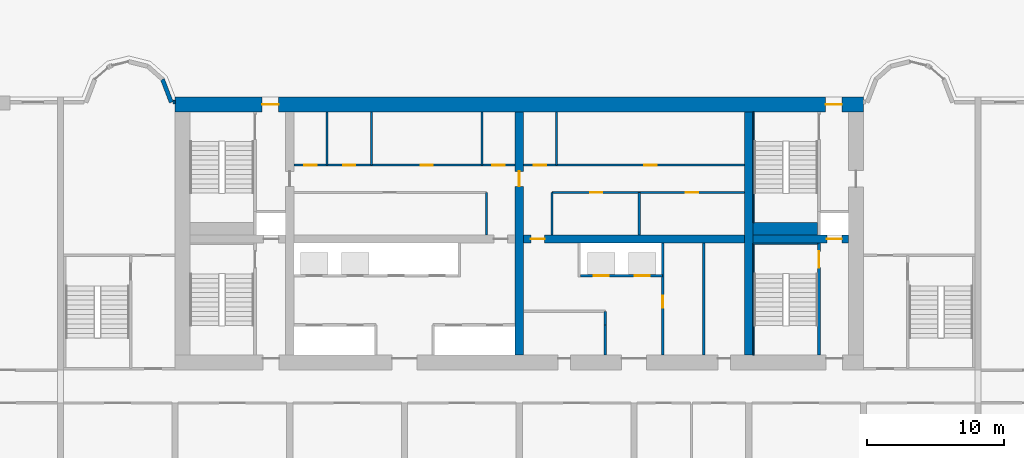
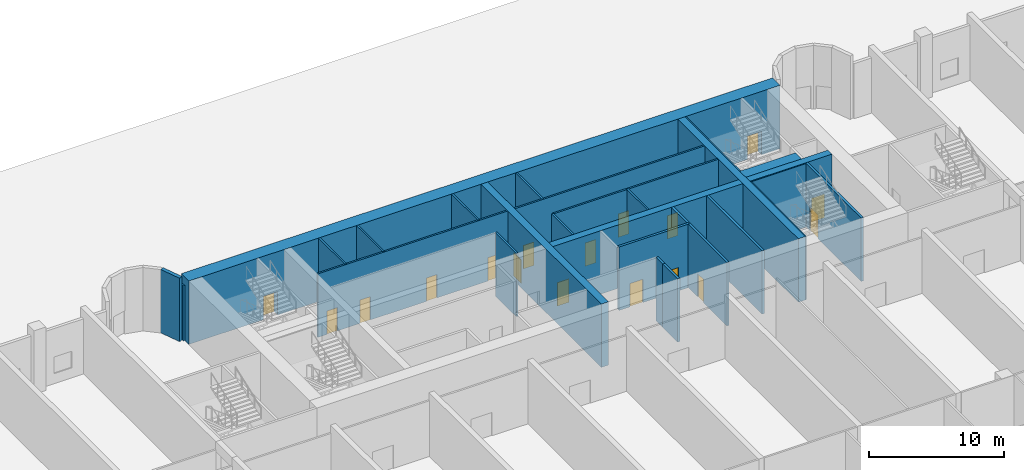
# One storey, part 13 of 20: 27 walls, 17 doors, 17 openings.
"""IFC4 building model written with IfcOpenShell, lengths in metres."""

import ifcopenshell
import ifcopenshell.guid

model = None  # the IFC model being written
_history = None  # IfcOwnerHistory: only IFC2X3 demands one
_inside = {}  # id of a spatial element -> (the spatial element, [elements in it])
_under = {}  # id of a project, library or spatial element -> (it, [spatial elements below it])
_declared = {}  # id of a project -> (the project, [libraries it declares])
_typed = {}  # id of a type object -> (the type object, [elements of that type])
_made_of = {}  # id of a material, layer set ... -> (it, [elements and type objects made of it])


def new_model(schema):
    """Start an empty IFC model of exactly this schema.

    Asked for "IFC4X3", IfcOpenShell would pick the latest addendum, in which some entities
    have other attributes; the version numbers below select the first issue.
    IFC2X3 requires an IfcOwnerHistory on every rooted entity: one is made here for all.
    """
    global model, _history
    if schema == "IFC4X3":
        model = ifcopenshell.file(schema_version=(4, 3, 0, 0))
    else:
        model = ifcopenshell.file(schema=schema)
    _inside.clear()
    _under.clear()
    _declared.clear()
    _typed.clear()
    _made_of.clear()
    _history = None
    if model.schema == "IFC2X3":
        org = make("IfcOrganization", Name="unknown")
        user = make(
            "IfcPersonAndOrganization",
            ThePerson=make("IfcPerson", FamilyName="unknown"),
            TheOrganization=org,
        )
        app = make(
            "IfcApplication",
            ApplicationDeveloper=org,
            Version="unknown",
            ApplicationFullName="unknown",
            ApplicationIdentifier="unknown",
        )
        _history = make(
            "IfcOwnerHistory",
            OwningUser=user,
            OwningApplication=app,
            ChangeAction="ADDED",
            CreationDate=0,
        )
    return model


def make(cls, **values):
    """One entity of the class cls with the attributes given. An attribute that is None is left unset."""
    return model.create_entity(
        cls, **{name: value for name, value in values.items() if value is not None}
    )


def rooted(cls, **values):
    """An entity with a GlobalId (a new one), such as an element, a storey or a relation."""
    return make(cls, GlobalId=ifcopenshell.guid.new(), OwnerHistory=_history, **values)


def si_unit(unit_type, name, prefix=None):
    """IfcSIUnit, for example si_unit("LENGTHUNIT", "METRE", prefix="MILLI")."""
    return make("IfcSIUnit", UnitType=unit_type, Prefix=prefix, Name=name)


def assignment(units):
    """IfcUnitAssignment: the units of a project."""
    return None if units is None else make("IfcUnitAssignment", Units=units)


def point(xyz):
    """IfcCartesianPoint."""
    return None if xyz is None else make("IfcCartesianPoint", Coordinates=xyz)


def direction(xyz):
    """IfcDirection."""
    return None if xyz is None else make("IfcDirection", DirectionRatios=xyz)


def frame(location, z_axis=None, x_axis=None):
    """IfcAxis2Placement3D, a coordinate frame: its origin and axes. An axis left out is left unset."""
    return make(
        "IfcAxis2Placement3D",
        Location=point(location),
        Axis=direction(z_axis),
        RefDirection=direction(x_axis),
    )


def frame_2d(location, x_axis=None):
    """IfcAxis2Placement2D, a coordinate frame in the plane: its origin and x axis."""
    return make(
        "IfcAxis2Placement2D", Location=point(location), RefDirection=direction(x_axis)
    )


def origin():
    """The frame at (0, 0, 0) with its axes left unset."""
    return frame((0.0, 0.0, 0.0))


def place(relative_to, where):
    """IfcLocalPlacement: puts the frame where relative to a parent placement (None: the world)."""
    return make(
        "IfcLocalPlacement", PlacementRelTo=relative_to, RelativePlacement=where
    )


def context(
    kind, dimensions, precision=None, world=None, true_north=None, identifier=None
):
    """IfcGeometricRepresentationContext, for example the 3D "Model" context."""
    return make(
        "IfcGeometricRepresentationContext",
        ContextIdentifier=identifier,
        ContextType=kind,
        CoordinateSpaceDimension=dimensions,
        Precision=precision,
        WorldCoordinateSystem=world,
        TrueNorth=true_north,
    )


def subcontext(parent, identifier, kind, view, scale=None):
    """IfcGeometricRepresentationSubContext, for example "Body" below "Model"."""
    return make(
        "IfcGeometricRepresentationSubContext",
        ContextIdentifier=identifier,
        ContextType=kind,
        ParentContext=parent,
        TargetScale=scale,
        TargetView=view,
    )


def project(units=None, contexts=None):
    """IfcProject with its units and contexts."""
    return rooted(
        "IfcProject",
        Name="project",
        RepresentationContexts=contexts,
        UnitsInContext=assignment(units),
    )


def spatial(cls, under=None, at=None, **own):
    """A site, building, storey or space (cls), placed at a placement, below another one or the project."""
    s = rooted(cls, ObjectPlacement=at, **own)
    if under is not None:
        _under.setdefault(under.id(), (under, []))[1].append(s)
    return s


def profile(cls, at=None, kind="AREA", **sizes):
    """A parametric profile (cls). Its sizes go by their IFC names, for example OverallWidth=200.0."""
    return make(cls, ProfileType=kind, Position=at, **sizes)


def rectangle(**sizes):
    """IfcRectangleProfileDef."""
    return profile("IfcRectangleProfileDef", **sizes)


def extrude(swept, where, along, depth):
    """IfcExtrudedAreaSolid: the profile swept, set in the frame where, extruded along a direction by depth."""
    return make(
        "IfcExtrudedAreaSolid",
        SweptArea=swept,
        Position=where,
        ExtrudedDirection=direction(along),
        Depth=depth,
    )


def shape(context_of_items, identifier, shape_type, items):
    """IfcShapeRepresentation: the items that make up one representation, for example the "Body"."""
    return make(
        "IfcShapeRepresentation",
        ContextOfItems=context_of_items,
        RepresentationIdentifier=identifier,
        RepresentationType=shape_type,
        Items=items,
    )


def source(mapping_origin, context_of_items, identifier, shape_type, items):
    """IfcRepresentationMap: a shape defined once, which mapped items show again and again."""
    return make(
        "IfcRepresentationMap",
        MappingOrigin=mapping_origin,
        MappedRepresentation=shape(context_of_items, identifier, shape_type, items),
    )


def transform(
    local_origin,
    x_axis=None,
    y_axis=None,
    z_axis=None,
    scale=None,
    scale2=None,
    scale3=None,
    uniform=True,
):
    """IfcCartesianTransformationOperator3D, or its non-uniform kind. x_axis, y_axis, z_axis: its Axis1, 2, 3."""
    if uniform:
        return make(
            "IfcCartesianTransformationOperator3D",
            Axis1=direction(x_axis),
            Axis2=direction(y_axis),
            LocalOrigin=point(local_origin),
            Scale=scale,
            Axis3=direction(z_axis),
        )
    return make(
        "IfcCartesianTransformationOperator3DnonUniform",
        Axis1=direction(x_axis),
        Axis2=direction(y_axis),
        LocalOrigin=point(local_origin),
        Scale=scale,
        Axis3=direction(z_axis),
        Scale2=scale2,
        Scale3=scale3,
    )


def mapped(mapping_source, mapping_target):
    """IfcMappedItem: shows the shape of a source again, moved by a transform."""
    return make(
        "IfcMappedItem", MappingSource=mapping_source, MappingTarget=mapping_target
    )


def material(Name=None, Category=None):
    """IfcMaterial."""
    return make("IfcMaterial", Name=Name, Category=Category)


def layer(
    of_material, thickness, ventilated=None, Name=None, Category=None, Priority=None
):
    """IfcMaterialLayer: one layer of a wall or slab, of a material (None: an air gap)."""
    return make(
        "IfcMaterialLayer",
        Material=of_material,
        LayerThickness=thickness,
        IsVentilated=ventilated,
        Name=Name,
        Category=Category,
        Priority=Priority,
    )


def layer_set(layers, Name=None):
    """IfcMaterialLayerSet."""
    return make("IfcMaterialLayerSet", MaterialLayers=layers, LayerSetName=Name)


def made_of(thing, what):
    """Note that an element or type object is made of a material, layer set ...; save() writes the relation."""
    if what is not None:
        _made_of.setdefault(what.id(), (what, []))[1].append(thing)
    return thing


def type_object(cls, material=None, **own):
    """A type object (cls), such as IfcWallType, which elements share."""
    return made_of(rooted(cls, **own), material)


def element(
    cls,
    number,
    at=None,
    inside=None,
    cuts=None,
    type_object=None,
    material=None,
    context=None,
    identifier="Body",
    shape_type=None,
    held_by="IfcProductDefinitionShape",
    body=None,
    shapes=None,
    **own,
):
    """One element of the class cls, such as IfcWall. Its Tag is "e" and its number.

    at: its placement. inside: the storey or other place that contains it. cuts: it is an
    opening in that element (IfcRelVoidsElement). A single representation is given by context,
    identifier, shape_type and body (its items); several are given by shapes. held_by: the class
    of the entity that holds the representations. save() writes the other relations.
    """
    e = rooted(cls, Tag="e%d" % number, ObjectPlacement=at, **own)
    if body is not None:
        shapes = [shape(context, identifier, shape_type, body)]
    if shapes is not None:
        e.Representation = make(held_by, Representations=shapes)
    if inside is not None:
        _inside.setdefault(inside.id(), (inside, []))[1].append(e)
    if cuts is not None:
        rooted(
            "IfcRelVoidsElement", RelatingBuildingElement=cuts, RelatedOpeningElement=e
        )
    if type_object is not None:
        _typed.setdefault(type_object.id(), (type_object, []))[1].append(e)
    return made_of(e, material)


def fill(opening, filler):
    """IfcRelFillsElement: the door or window that sits in an opening."""
    return rooted(
        "IfcRelFillsElement",
        RelatingOpeningElement=opening,
        RelatedBuildingElement=filler,
    )


def aggregate(whole, parts):
    """IfcRelAggregates: a whole, such as a stair, and the parts it consists of."""
    return rooted("IfcRelAggregates", RelatingObject=whole, RelatedObjects=parts)


def save(model, path):
    """Write the relations noted so far, then the file.

    IfcRelAggregates (storeys below a building ...), IfcRelContainedInSpatialStructure (elements
    in a storey), IfcRelDefinesByType, IfcRelAssociatesMaterial and IfcRelDeclares: one each for
    every whole, place, type object, material and project.
    """
    for whole, parts in _under.values():
        aggregate(whole, parts)
    for where, things in _inside.values():
        rooted(
            "IfcRelContainedInSpatialStructure",
            RelatedElements=things,
            RelatingStructure=where,
        )
    for kind, things in _typed.values():
        rooted("IfcRelDefinesByType", RelatedObjects=things, RelatingType=kind)
    for what, things in _made_of.values():
        rooted("IfcRelAssociatesMaterial", RelatedObjects=things, RelatingMaterial=what)
    for by, libraries in _declared.values():
        rooted("IfcRelDeclares", RelatingContext=by, RelatedDefinitions=libraries)
    model.write(path)


model = new_model("IFC4")

# Units and contexts
model_context = context("Model", 3, precision=1e-05, world=origin(), true_north=direction((0.0, 1.0)))
body_context = subcontext(model_context, "Body", "Model", "MODEL_VIEW")
ifc_project = project(units=[si_unit("LENGTHUNIT", "METRE"), si_unit("AREAUNIT", "SQUARE_METRE"), si_unit("VOLUMEUNIT", "CUBIC_METRE"), si_unit("PLANEANGLEUNIT", "RADIAN"), si_unit("MASSUNIT", "GRAM", prefix="KILO")], contexts=[model_context])

# Site, building, storey
site_placement = place(None, origin())
site = spatial("IfcSite", under=ifc_project, at=site_placement, CompositionType="ELEMENT")
building_placement = place(site_placement, origin())
building = spatial("IfcBuilding", under=site, at=building_placement, Name="Vanashikhar Sky Hotel", CompositionType="ELEMENT")
storey_placement = place(building_placement, origin())
storey = spatial("IfcBuildingStorey", under=building, at=storey_placement, Name="L00", CompositionType="ELEMENT", Elevation=0.0)

# Wall, openings, doors
ifc_material_1 = material(Name="Concrete M80", Category="concrete")
ifc_layer_1 = layer(ifc_material_1, 1.10009765625)
ifc_layer_set_1 = layer_set([ifc_layer_1], Name="RC core shell wall 1100 Concrete M80")
wall_type_1 = type_object("IfcWallType", Name="RC core shell wall 1100 Concrete M80", PredefinedType="SHEAR", material=ifc_layer_set_1)
shared_shape_1 = source(origin(), body_context, "Body", "SweptSolid", [
    extrude(rectangle(XDim=50.400146484375, YDim=1.10009765625, at=frame_2d((25.2001953125, 0.0))), origin(), (0.0, 0.0, 1.0), 5.719970703125),
])
wall_1_placement = place(storey_placement, frame((25.199951171875, 41.449951171875, 0.0), z_axis=(0.0, 0.0, 1.0), x_axis=(1.0, 0.0, 0.0)))
wall_1 = element("IfcWall", 1, at=wall_1_placement, inside=storey, type_object=wall_type_1, Name="KW-L00-KN", PredefinedType="SHEAR", context=body_context, shape_type="MappedRepresentation", body=[
    mapped(shared_shape_1, transform((0.0, 0.0, 0.0), scale=1.0)),
])
shared_shape_2 = source(origin(), body_context, "Body", "SweptSolid", [
    extrude(rectangle(XDim=1.199951171875, YDim=2.10009765625, at=frame_2d((0.60009765625, 1.050048828125))), frame((0.0, 0.56005859375, 0.0), z_axis=(0.0, -1.0, 0.0), x_axis=(1.0, 0.0, 0.0)), (0.0, 0.0, 1.0), 1.1201171875),
])
opening_1_placement = place(wall_1_placement, frame((6.375, 0.0, 0.0)))
opening_1 = element("IfcOpeningElement", 2, at=opening_1_placement, cuts=wall_1, Name="Opening DC-7", PredefinedType="OPENING", context=body_context, shape_type="MappedRepresentation", body=[
    mapped(shared_shape_2, transform((0.0, 0.0, 0.0), scale=1.0)),
])
opening_2_placement = place(wall_1_placement, frame((47.625, 0.0, 0.0)))
opening_2 = element("IfcOpeningElement", 3, at=opening_2_placement, cuts=wall_1, Name="Opening DC-7", PredefinedType="OPENING", context=body_context, shape_type="MappedRepresentation", body=[
    mapped(shared_shape_2, transform((0.0, 0.0, 0.0), scale=1.0)),
])
ifc_material_2 = material(Name="Steel", Category="steel")
door_type_1 = type_object("IfcDoorType", Name="Exit door 1200 NOT RATED", OperationType="NOTDEFINED", PredefinedType="DOOR", material=ifc_material_2)
shared_shape_3 = source(origin(), body_context, "Body", "SweptSolid", [
    extrude(rectangle(XDim=1.199951171875, YDim=2.10009765625, at=frame_2d((0.60009765625, 1.050048828125))), frame((0.0, 0.02490234375, 0.0), z_axis=(0.0, -1.0, 0.0), x_axis=(1.0, 0.0, 0.0)), (0.0, 0.0, 1.0), 0.050048828125),
])
door_1_placement = place(opening_1_placement, origin())
door_1 = element("IfcDoor", 4, at=door_1_placement, inside=storey, type_object=door_type_1, Name="Exit door 1200 NOT RATED", OperationType="SINGLE_SWING_LEFT", OverallHeight=2.10009765625, OverallWidth=1.199951171875, PredefinedType="DOOR", context=body_context, shape_type="MappedRepresentation", body=[
    mapped(shared_shape_3, transform((0.0, 0.0, 0.0), scale=1.0)),
])
fill(opening_1, door_1)
door_2_placement = place(opening_2_placement, origin())
door_2 = element("IfcDoor", 5, at=door_2_placement, inside=storey, type_object=door_type_1, Name="Exit door 1200 NOT RATED", OperationType="SINGLE_SWING_LEFT", OverallHeight=2.10009765625, OverallWidth=1.199951171875, PredefinedType="DOOR", context=body_context, shape_type="MappedRepresentation", body=[
    mapped(shared_shape_3, transform((0.0, 0.0, 0.0), scale=1.0)),
])
fill(opening_2, door_2)

# Wall, opening, door
ifc_layer_2 = layer(ifc_material_1, 0.60009765625)
ifc_layer_set_2 = layer_set([ifc_layer_2], Name="RC core inner wall 600 Concrete M80")
wall_type_2 = type_object("IfcWallType", Name="RC core inner wall 600 Concrete M80", PredefinedType="SHEAR", material=ifc_layer_set_2)
shared_shape_4 = source(origin(), body_context, "Body", "SweptSolid", [
    extrude(rectangle(XDim=17.7998046875, YDim=0.60009765625, at=frame_2d((8.89990234375, 0.0))), origin(), (0.0, 0.0, 1.0), 5.719970703125),
])
wall_2_placement = place(storey_placement, frame((50.39990234375, 23.10009765625, 0.0), z_axis=(0.0, 0.0, 1.0), x_axis=(0.0, 1.0, 0.0)))
wall_2 = element("IfcWall", 6, at=wall_2_placement, inside=storey, type_object=wall_type_2, Name="KW-L00-KX2", PredefinedType="SHEAR", context=body_context, shape_type="MappedRepresentation", body=[
    mapped(shared_shape_4, transform((0.0, 0.0, 0.0), scale=1.0)),
])
shared_shape_5 = source(origin(), body_context, "Body", "SweptSolid", [
    extrude(rectangle(XDim=1.10009765625, YDim=2.10009765625, at=frame_2d((0.550048828125, 1.050048828125))), frame((0.0, 0.31005859375, 0.0), z_axis=(0.0, -1.0, 0.0), x_axis=(1.0, 0.0, 0.0)), (0.0, 0.0, 1.0), 0.6201171875),
])
opening_3_placement = place(wall_2_placement, frame((12.35009765625, 0.0, 0.0)))
opening_3 = element("IfcOpeningElement", 7, at=opening_3_placement, cuts=wall_2, Name="Opening DC-4-C", PredefinedType="OPENING", context=body_context, shape_type="MappedRepresentation", body=[
    mapped(shared_shape_5, transform((0.0, 0.0, 0.0), scale=1.0)),
])
door_type_2 = type_object("IfcDoorType", Name="Service door 1100 FD60", OperationType="NOTDEFINED", PredefinedType="DOOR", material=ifc_material_2)
shared_shape_6 = source(origin(), body_context, "Body", "SweptSolid", [
    extrude(rectangle(XDim=1.10009765625, YDim=2.10009765625, at=frame_2d((0.550048828125, 1.050048828125))), frame((0.0, 0.02490234375, 0.0), z_axis=(0.0, -1.0, 0.0), x_axis=(1.0, 0.0, 0.0)), (0.0, 0.0, 1.0), 0.050048828125),
])
door_3_placement = place(opening_3_placement, origin())
door_3 = element("IfcDoor", 8, at=door_3_placement, inside=storey, type_object=door_type_2, Name="Service door 1100 FD60", OperationType="SINGLE_SWING_LEFT", OverallHeight=2.10009765625, OverallWidth=1.10009765625, PredefinedType="DOOR", context=body_context, shape_type="MappedRepresentation", body=[
    mapped(shared_shape_6, transform((0.0, 0.0, 0.0), scale=1.0)),
])
fill(opening_3, door_3)

# Wall
wall_3_placement = place(storey_placement, frame((67.199951171875, 23.10009765625, 0.0), z_axis=(0.0, 0.0, 1.0), x_axis=(0.0, 1.0, 0.0)))
element("IfcWall", 9, at=wall_3_placement, inside=storey, type_object=wall_type_2, Name="KW-L00-KX3", PredefinedType="SHEAR", context=body_context, shape_type="MappedRepresentation", body=[
    mapped(shared_shape_4, transform((0.0, 0.0, 0.0), scale=1.0)),
])

# Wall, opening, door
shared_shape_7 = source(origin(), body_context, "Body", "SweptSolid", [
    extrude(rectangle(XDim=7.0, YDim=0.60009765625, at=frame_2d((3.5, 0.0))), origin(), (0.0, 0.0, 1.0), 5.719970703125),
])
wall_4_placement = place(storey_placement, frame((67.5, 31.60009765625, 0.0), z_axis=(0.0, 0.0, 1.0), x_axis=(1.0, 0.0, 0.0)))
wall_4 = element("IfcWall", 10, at=wall_4_placement, inside=storey, type_object=wall_type_2, Name="KW-L00-KY4", PredefinedType="SHEAR", context=body_context, shape_type="MappedRepresentation", body=[
    mapped(shared_shape_7, transform((0.0, 0.0, 0.0), scale=1.0)),
])
opening_4_placement = place(wall_4_placement, frame((5.425048828125, 0.0, 0.0)))
opening_4 = element("IfcOpeningElement", 11, at=opening_4_placement, cuts=wall_4, Name="Opening LD", PredefinedType="OPENING", context=body_context, shape_type="MappedRepresentation", body=[
    mapped(shared_shape_5, transform((0.0, 0.0, 0.0), scale=1.0)),
])
ifc_material_3 = material(Name="Stainless steel", Category="steel")
door_type_3 = type_object("IfcDoorType", Name="Lift landing door 1100", OperationType="NOTDEFINED", PredefinedType="DOOR", material=ifc_material_3)
door_4_placement = place(opening_4_placement, origin())
door_4 = element("IfcDoor", 12, at=door_4_placement, inside=storey, type_object=door_type_3, Name="Lift landing door 1100", OperationType="SLIDING_TO_RIGHT", OverallHeight=2.10009765625, OverallWidth=1.10009765625, PredefinedType="DOOR", context=body_context, shape_type="MappedRepresentation", body=[
    mapped(shared_shape_6, transform((0.0, 0.0, 0.0), scale=1.0)),
])
fill(opening_4, door_4)

shared_shape_8 = source(origin(), body_context, "Body", "SweptSolid", [
    extrude(rectangle(XDim=16.199951171875, YDim=0.60009765625, at=frame_2d((8.10009765625, 0.0))), origin(), (0.0, 0.0, 1.0), 5.719970703125),
])
wall_5_placement = place(storey_placement, frame((50.699951171875, 31.60009765625, 0.0), z_axis=(0.0, 0.0, 1.0), x_axis=(1.0, 0.0, 0.0)))
wall_5 = element("IfcWall", 13, at=wall_5_placement, inside=storey, type_object=wall_type_2, Name="KW-L00-KY3", PredefinedType="SHEAR", context=body_context, shape_type="MappedRepresentation", body=[
    mapped(shared_shape_8, transform((0.0, 0.0, 0.0), scale=1.0)),
])
shared_shape_9 = source(origin(), body_context, "Body", "SweptSolid", [
    extrude(rectangle(XDim=1.0, YDim=2.10009765625, at=frame_2d((0.5, 1.050048828125))), frame((0.0, 0.31005859375, 0.0), z_axis=(0.0, -1.0, 0.0), x_axis=(1.0, 0.0, 0.0)), (0.0, 0.0, 1.0), 0.6201171875),
])
opening_5_placement = place(wall_5_placement, frame((0.550048828125, 0.0, 0.0)))
opening_5 = element("IfcOpeningElement", 14, at=opening_5_placement, cuts=wall_5, Name="Opening DC-4", PredefinedType="OPENING", context=body_context, shape_type="MappedRepresentation", body=[
    mapped(shared_shape_9, transform((0.0, 0.0, 0.0), scale=1.0)),
])
door_type_4 = type_object("IfcDoorType", Name="Service door 1000 FD60", OperationType="NOTDEFINED", PredefinedType="DOOR", material=ifc_material_2)
shared_shape_10 = source(origin(), body_context, "Body", "SweptSolid", [
    extrude(rectangle(XDim=1.0, YDim=2.10009765625, at=frame_2d((0.5, 1.050048828125))), frame((0.0, 0.02490234375, 0.0), z_axis=(0.0, -1.0, 0.0), x_axis=(1.0, 0.0, 0.0)), (0.0, 0.0, 1.0), 0.050048828125),
])
door_5_placement = place(opening_5_placement, origin())
door_5 = element("IfcDoor", 15, at=door_5_placement, inside=storey, type_object=door_type_4, Name="Service door 1000 FD60", OperationType="SINGLE_SWING_LEFT", OverallHeight=2.10009765625, OverallWidth=1.0, PredefinedType="DOOR", context=body_context, shape_type="MappedRepresentation", body=[
    mapped(shared_shape_10, transform((0.0, 0.0, 0.0), scale=1.0)),
])
fill(opening_5, door_5)

# Walls
ifc_material_4 = material(Name="Concrete M50", Category="concrete")
ifc_layer_3 = layer(ifc_material_4, 0.25)
ifc_layer_set_3 = layer_set([ifc_layer_3], Name="Rear and end board-marked wall 250")
wall_type_3 = type_object("IfcWallType", Name="Rear and end board-marked wall 250", PredefinedType="SOLIDWALL", material=ifc_layer_set_3)
shared_shape_11 = source(origin(), body_context, "Body", "SweptSolid", [
    extrude(rectangle(XDim=0.137939453125, YDim=0.25, at=frame_2d((0.06884765625, 0.0))), origin(), (0.0, 0.0, 1.0), 4.969970703125),
])
wall_6_placement = place(storey_placement, frame((25.199951171875, 41.625, 0.0), z_axis=(0.0, 0.0, 1.0), x_axis=(-1.0, 0.0, 0.0)))
element("IfcWall", 16, at=wall_6_placement, inside=storey, type_object=wall_type_3, Name="Podium external wall", PredefinedType="SOLIDWALL", context=body_context, shape_type="MappedRepresentation", body=[
    mapped(shared_shape_11, transform((0.0, 0.0, 0.0), scale=1.0)),
])
ifc_layer_4 = layer(ifc_material_4, 0.300048828125)
ifc_layer_set_4 = layer_set([ifc_layer_4], Name="Lobe wall 300")
wall_type_4 = type_object("IfcWallType", Name="Lobe wall 300", PredefinedType="SOLIDWALL", material=ifc_layer_set_4)
shared_shape_12 = source(origin(), body_context, "Body", "SweptSolid", [
    extrude(rectangle(XDim=1.811767578125, YDim=0.300048828125, at=frame_2d((0.90576171875, 0.0))), origin(), (0.0, 0.0, 1.0), 5.719970703125),
])
wall_7_placement = place(storey_placement, frame((24.9248046875, 41.60009765625, 0.0), z_axis=(0.0, 0.0, 1.0), x_axis=(-0.357759776872, 0.933813654886, 0.0)))
element("IfcWall", 17, at=wall_7_placement, inside=storey, type_object=wall_type_4, Name="Lobe wall", PredefinedType="SOLIDWALL", context=body_context, shape_type="MappedRepresentation", body=[
    mapped(shared_shape_12, transform((0.0, 0.0, 0.0), scale=1.0)),
])

# Wall, openings, doors
ifc_material_5 = material(Name="Concrete M40", Category="concrete")
ifc_layer_5 = layer(ifc_material_5, 0.199951171875)
ifc_layer_set_5 = layer_set([ifc_layer_5], Name="Shaft wall 200")
wall_type_5 = type_object("IfcWallType", Name="Shaft wall 200", PredefinedType="SOLIDWALL", material=ifc_layer_set_5)
shared_shape_13 = source(origin(), body_context, "Body", "SweptSolid", [
    extrude(rectangle(XDim=6.0, YDim=0.199951171875, at=frame_2d((3.0, 0.0))), origin(), (0.0, 0.0, 1.0), 5.719970703125),
])
wall_8_placement = place(storey_placement, frame((60.89990234375, 28.89990234375, 0.0), z_axis=(0.0, 0.0, 1.0), x_axis=(-1.0, 0.0, 0.0)))
wall_8 = element("IfcWall", 18, at=wall_8_placement, inside=storey, type_object=wall_type_5, Name="Shaft wall 200", PredefinedType="SOLIDWALL", context=body_context, shape_type="MappedRepresentation", body=[
    mapped(shared_shape_13, transform((0.0, 0.0, 0.0), scale=1.0)),
])
shared_shape_14 = source(origin(), body_context, "Body", "SweptSolid", [
    extrude(rectangle(XDim=1.10009765625, YDim=2.10009765625, at=frame_2d((0.550048828125, 1.050048828125))), frame((0.0, 0.10986328125, 0.0), z_axis=(0.0, -1.0, 0.0), x_axis=(1.0, 0.0, 0.0)), (0.0, 0.0, 1.0), 0.219970703125),
])
opening_6_placement = place(wall_8_placement, frame((0.949951171875, 0.0, 0.0)))
opening_6 = element("IfcOpeningElement", 19, at=opening_6_placement, cuts=wall_8, Name="Opening LD", PredefinedType="OPENING", context=body_context, shape_type="MappedRepresentation", body=[
    mapped(shared_shape_14, transform((0.0, 0.0, 0.0), scale=1.0)),
])
opening_7_placement = place(wall_8_placement, frame((3.949951171875, 0.0, 0.0)))
opening_7 = element("IfcOpeningElement", 20, at=opening_7_placement, cuts=wall_8, Name="Opening LD", PredefinedType="OPENING", context=body_context, shape_type="MappedRepresentation", body=[
    mapped(shared_shape_14, transform((0.0, 0.0, 0.0), scale=1.0)),
])
door_6_placement = place(opening_6_placement, origin())
door_6 = element("IfcDoor", 21, at=door_6_placement, inside=storey, type_object=door_type_3, Name="Lift landing door 1100", OperationType="SLIDING_TO_RIGHT", OverallHeight=2.10009765625, OverallWidth=1.10009765625, PredefinedType="DOOR", context=body_context, shape_type="MappedRepresentation", body=[
    mapped(shared_shape_6, transform((0.0, 0.0, 0.0), scale=1.0)),
])
fill(opening_6, door_6)
door_7_placement = place(opening_7_placement, origin())
door_7 = element("IfcDoor", 22, at=door_7_placement, inside=storey, type_object=door_type_3, Name="Lift landing door 1100", OperationType="SLIDING_TO_LEFT", OverallHeight=2.10009765625, OverallWidth=1.10009765625, PredefinedType="DOOR", context=body_context, shape_type="MappedRepresentation", body=[
    mapped(shared_shape_6, transform((0.0, 0.0, 0.0), scale=1.0)),
])
fill(opening_7, door_7)

# Walls
ifc_material_6 = material(Name="Gypsum board partition")
ifc_layer_6 = layer(ifc_material_6, 0.14990234375)
ifc_layer_set_6 = layer_set([ifc_layer_6], Name="Service partition 150")
wall_type_6 = type_object("IfcWallType", Name="Service partition 150", PredefinedType="PARTITIONING", material=ifc_layer_set_6)
shared_shape_15 = source(origin(), body_context, "Body", "SweptSolid", [
    extrude(rectangle(XDim=2.199951171875, YDim=0.199951171875, at=frame_2d((1.10009765625, 0.0))), origin(), (0.0, 0.0, 1.0), 5.719970703125),
])
wall_9_placement = place(storey_placement, frame((56.699951171875, 23.10009765625, 0.0), z_axis=(0.0, 0.0, 1.0), x_axis=(0.0, 1.0, 0.0)))
element("IfcWall", 23, at=wall_9_placement, inside=storey, type_object=wall_type_6, Name="Service partition 150", PredefinedType="PARTITIONING", context=body_context, shape_type="MappedRepresentation", body=[
    mapped(shared_shape_15, transform((0.0, 0.0, 0.0), scale=1.0)),
])
shared_shape_16 = source(origin(), body_context, "Body", "SweptSolid", [
    extrude(rectangle(XDim=3.10009765625, YDim=0.14990234375, at=frame_2d((1.550048828125, 0.0))), origin(), (0.0, 0.0, 1.0), 5.719970703125),
])
for number, where, z_axis, x_axis, name in (
    (24, (48.0, 31.89990234375, 0.0), (0.0, 0.0, 1.0), (0.0, 1.0, 0.0), "Service partition 150"),
    (25, (52.800048828125, 31.89990234375, 0.0), (0.0, 0.0, 1.0), (0.0, 1.0, 0.0), "Service partition 150"),
    (26, (59.18603515625, 31.89990234375, 0.0), (0.0, 0.0, 1.0), (0.0, 1.0, 0.0), "Service partition 150"),
):
    element("IfcWall", number, at=place(storey_placement, frame(where, z_axis=z_axis, x_axis=x_axis)), inside=storey, type_object=wall_type_6, Name=name, PredefinedType="PARTITIONING", context=body_context, shape_type="MappedRepresentation", body=[
        mapped(shared_shape_16, transform((0.0, 0.0, 0.0), scale=1.0)),
    ])

# Wall, openings, doors
shared_shape_17 = source(origin(), body_context, "Body", "SweptSolid", [
    extrude(rectangle(XDim=16.2001953125, YDim=0.14990234375, at=frame_2d((8.10009765625, 0.0))), origin(), (0.0, 0.0, 1.0), 5.719970703125),
])
wall_10_placement = place(storey_placement, frame((33.89990234375, 37.0, 0.0), z_axis=(0.0, 0.0, 1.0), x_axis=(1.0, 0.0, 0.0)))
wall_10 = element("IfcWall", 27, at=wall_10_placement, inside=storey, type_object=wall_type_6, Name="Service partition 150", PredefinedType="PARTITIONING", context=body_context, shape_type="MappedRepresentation", body=[
    mapped(shared_shape_17, transform((0.0, 0.0, 0.0), scale=1.0)),
])
shared_shape_18 = source(origin(), body_context, "Body", "SweptSolid", [
    extrude(rectangle(XDim=0.89990234375, YDim=2.10009765625, at=frame_2d((0.449951171875, 1.050048828125))), frame((0.0, 0.0849609375, 0.0), z_axis=(0.0, -1.0, 0.0), x_axis=(1.0, 0.0, 0.0)), (0.0, 0.0, 1.0), 0.169921875),
])
opening_8_placement = place(wall_10_placement, frame((0.764892578125, 0.0, 0.0)))
opening_8 = element("IfcOpeningElement", 28, at=opening_8_placement, cuts=wall_10, Name="Opening DC-4-A", PredefinedType="OPENING", context=body_context, shape_type="MappedRepresentation", body=[
    mapped(shared_shape_18, transform((0.0, 0.0, 0.0), scale=1.0)),
])
opening_9_placement = place(wall_10_placement, frame((3.60009765625, 0.0, 0.0)))
opening_9 = element("IfcOpeningElement", 29, at=opening_9_placement, cuts=wall_10, Name="Opening DC-4-A", PredefinedType="OPENING", context=body_context, shape_type="MappedRepresentation", body=[
    mapped(shared_shape_18, transform((0.0, 0.0, 0.0), scale=1.0)),
])
opening_10_placement = place(wall_10_placement, frame((9.27001953125, 0.0, 0.0)))
opening_10 = element("IfcOpeningElement", 30, at=opening_10_placement, cuts=wall_10, Name="Opening DC-4-A", PredefinedType="OPENING", context=body_context, shape_type="MappedRepresentation", body=[
    mapped(shared_shape_18, transform((0.0, 0.0, 0.0), scale=1.0)),
])
opening_11_placement = place(wall_10_placement, frame((14.534912109375, 0.0, 0.0)))
opening_11 = element("IfcOpeningElement", 31, at=opening_11_placement, cuts=wall_10, Name="Opening DC-4-A", PredefinedType="OPENING", context=body_context, shape_type="MappedRepresentation", body=[
    mapped(shared_shape_18, transform((0.0, 0.0, 0.0), scale=1.0)),
])
door_type_5 = type_object("IfcDoorType", Name="Service door 900 FD60", OperationType="NOTDEFINED", PredefinedType="DOOR", material=ifc_material_2)
shared_shape_19 = source(origin(), body_context, "Body", "SweptSolid", [
    extrude(rectangle(XDim=0.89990234375, YDim=2.10009765625, at=frame_2d((0.449951171875, 1.050048828125))), frame((0.0, 0.02490234375, 0.0), z_axis=(0.0, -1.0, 0.0), x_axis=(1.0, 0.0, 0.0)), (0.0, 0.0, 1.0), 0.050048828125),
])
door_8_placement = place(opening_8_placement, origin())
door_8 = element("IfcDoor", 32, at=door_8_placement, inside=storey, type_object=door_type_5, Name="Service door 900 FD60", OperationType="SINGLE_SWING_LEFT", OverallHeight=2.10009765625, OverallWidth=0.89990234375, PredefinedType="DOOR", context=body_context, shape_type="MappedRepresentation", body=[
    mapped(shared_shape_19, transform((0.0, 0.0, 0.0), scale=1.0)),
])
fill(opening_8, door_8)
door_9_placement = place(opening_9_placement, origin())
door_9 = element("IfcDoor", 33, at=door_9_placement, inside=storey, type_object=door_type_5, Name="Service door 900 FD60", OperationType="SINGLE_SWING_LEFT", OverallHeight=2.10009765625, OverallWidth=0.89990234375, PredefinedType="DOOR", context=body_context, shape_type="MappedRepresentation", body=[
    mapped(shared_shape_19, transform((0.0, 0.0, 0.0), scale=1.0)),
])
fill(opening_9, door_9)
door_10_placement = place(opening_10_placement, origin())
door_10 = element("IfcDoor", 34, at=door_10_placement, inside=storey, type_object=door_type_5, Name="Service door 900 FD60", OperationType="SINGLE_SWING_RIGHT", OverallHeight=2.10009765625, OverallWidth=0.89990234375, PredefinedType="DOOR", context=body_context, shape_type="MappedRepresentation", body=[
    mapped(shared_shape_19, transform((0.0, 0.0, 0.0), scale=1.0)),
])
fill(opening_10, door_10)
door_11_placement = place(opening_11_placement, origin())
door_11 = element("IfcDoor", 35, at=door_11_placement, inside=storey, type_object=door_type_5, Name="Service door 900 FD60", OperationType="SINGLE_SWING_RIGHT", OverallHeight=2.10009765625, OverallWidth=0.89990234375, PredefinedType="DOOR", context=body_context, shape_type="MappedRepresentation", body=[
    mapped(shared_shape_19, transform((0.0, 0.0, 0.0), scale=1.0)),
])
fill(opening_11, door_11)

# Walls
shared_shape_20 = source(origin(), body_context, "Body", "SweptSolid", [
    extrude(rectangle(XDim=3.89990234375, YDim=0.14990234375, at=frame_2d((1.949951171875, 0.0))), origin(), (0.0, 0.0, 1.0), 5.719970703125),
])
for number, where, z_axis, x_axis, name in (
    (36, (36.330078125, 37.0, 0.0), (0.0, 0.0, 1.0), (0.0, 1.0, 0.0), "Service partition 150"),
    (37, (39.570068359375, 37.0, 0.0), (0.0, 0.0, 1.0), (0.0, 1.0, 0.0), "Service partition 150"),
    (38, (47.669921875, 37.0, 0.0), (0.0, 0.0, 1.0), (0.0, 1.0, 0.0), "Service partition 150"),
    (39, (53.1298828125, 37.0, 0.0), (0.0, 0.0, 1.0), (0.0, 1.0, 0.0), "Service partition 150"),
):
    element("IfcWall", number, at=place(storey_placement, frame(where, z_axis=z_axis, x_axis=x_axis)), inside=storey, type_object=wall_type_6, Name=name, PredefinedType="PARTITIONING", context=body_context, shape_type="MappedRepresentation", body=[
        mapped(shared_shape_20, transform((0.0, 0.0, 0.0), scale=1.0)),
    ])

# Wall, opening, door
shared_shape_21 = source(origin(), body_context, "Body", "SweptSolid", [
    extrude(rectangle(XDim=8.199951171875, YDim=0.199951171875, at=frame_2d((4.10009765625, 0.0))), origin(), (0.0, 0.0, 1.0), 5.719970703125),
])
wall_11_placement = place(storey_placement, frame((60.89990234375, 23.10009765625, 0.0), z_axis=(0.0, 0.0, 1.0), x_axis=(0.0, 1.0, 0.0)))
wall_11 = element("IfcWall", 40, at=wall_11_placement, inside=storey, type_object=wall_type_6, Name="Service partition 150", PredefinedType="PARTITIONING", context=body_context, shape_type="MappedRepresentation", body=[
    mapped(shared_shape_21, transform((0.0, 0.0, 0.0), scale=1.0)),
])
shared_shape_22 = source(origin(), body_context, "Body", "SweptSolid", [
    extrude(rectangle(XDim=0.89990234375, YDim=2.10009765625, at=frame_2d((0.449951171875, 1.050048828125))), frame((0.0, 0.10986328125, 0.0), z_axis=(0.0, -1.0, 0.0), x_axis=(1.0, 0.0, 0.0)), (0.0, 0.0, 1.0), 0.219970703125),
])
opening_12_placement = place(wall_11_placement, frame((3.449951171875, 0.0, 0.0)))
opening_12 = element("IfcOpeningElement", 41, at=opening_12_placement, cuts=wall_11, Name="Opening DC-4-A", PredefinedType="OPENING", context=body_context, shape_type="MappedRepresentation", body=[
    mapped(shared_shape_22, transform((0.0, 0.0, 0.0), scale=1.0)),
])
door_12_placement = place(opening_12_placement, origin())
door_12 = element("IfcDoor", 42, at=door_12_placement, inside=storey, type_object=door_type_5, Name="Service door 900 FD60", OperationType="SINGLE_SWING_RIGHT", OverallHeight=2.10009765625, OverallWidth=0.89990234375, PredefinedType="DOOR", context=body_context, shape_type="MappedRepresentation", body=[
    mapped(shared_shape_19, transform((0.0, 0.0, 0.0), scale=1.0)),
])
fill(opening_12, door_12)

# Walls
wall_12_placement = place(storey_placement, frame((63.89990234375, 23.10009765625, 0.0), z_axis=(0.0, 0.0, 1.0), x_axis=(0.0, 1.0, 0.0)))
element("IfcWall", 43, at=wall_12_placement, inside=storey, type_object=wall_type_6, Name="Service partition 150", PredefinedType="PARTITIONING", context=body_context, shape_type="MappedRepresentation", body=[
    mapped(shared_shape_21, transform((0.0, 0.0, 0.0), scale=1.0)),
])
shared_shape_23 = source(origin(), body_context, "Body", "SweptSolid", [
    extrude(rectangle(XDim=1.0, YDim=0.199951171875, at=frame_2d((0.5, 0.0))), origin(), (0.0, 0.0, 1.0), 5.719970703125),
])
wall_13_placement = place(storey_placement, frame((56.699951171875, 25.300048828125, 0.0), z_axis=(0.0, 0.0, 1.0), x_axis=(0.0, 1.0, 0.0)))
element("IfcWall", 44, at=wall_13_placement, inside=storey, type_object=wall_type_6, Name="Service partition 150", PredefinedType="PARTITIONING", context=body_context, shape_type="MappedRepresentation", body=[
    mapped(shared_shape_23, transform((0.0, 0.0, 0.0), scale=1.0)),
])

# Wall, openings, doors
shared_shape_24 = source(origin(), body_context, "Body", "SweptSolid", [
    extrude(rectangle(XDim=14.099853515625, YDim=0.14990234375, at=frame_2d((7.0498046875, 0.0))), origin(), (0.0, 0.0, 1.0), 5.719970703125),
])
wall_14_placement = place(storey_placement, frame((66.89990234375, 35.0, 0.0), z_axis=(0.0, 0.0, 1.0), x_axis=(-1.0, 0.0, 0.0)))
wall_14 = element("IfcWall", 45, at=wall_14_placement, inside=storey, type_object=wall_type_6, Name="Service partition 150", PredefinedType="PARTITIONING", context=body_context, shape_type="MappedRepresentation", body=[
    mapped(shared_shape_24, transform((0.0, 0.0, 0.0), scale=1.0)),
])
opening_13_placement = place(wall_14_placement, frame((3.406982421875, 0.0, 0.0)))
opening_13 = element("IfcOpeningElement", 46, at=opening_13_placement, cuts=wall_14, Name="Opening DC-4-A", PredefinedType="OPENING", context=body_context, shape_type="MappedRepresentation", body=[
    mapped(shared_shape_18, transform((0.0, 0.0, 0.0), scale=1.0)),
])
opening_14_placement = place(wall_14_placement, frame((10.4189453125, 0.0, 0.0)))
opening_14 = element("IfcOpeningElement", 47, at=opening_14_placement, cuts=wall_14, Name="Opening DC-4-A", PredefinedType="OPENING", context=body_context, shape_type="MappedRepresentation", body=[
    mapped(shared_shape_18, transform((0.0, 0.0, 0.0), scale=1.0)),
])
door_13_placement = place(opening_13_placement, origin())
door_13 = element("IfcDoor", 48, at=door_13_placement, inside=storey, type_object=door_type_5, Name="Service door 900 FD60", OperationType="SINGLE_SWING_LEFT", OverallHeight=2.10009765625, OverallWidth=0.89990234375, PredefinedType="DOOR", context=body_context, shape_type="MappedRepresentation", body=[
    mapped(shared_shape_19, transform((0.0, 0.0, 0.0), scale=1.0)),
])
fill(opening_13, door_13)
door_14_placement = place(opening_14_placement, origin())
door_14 = element("IfcDoor", 49, at=door_14_placement, inside=storey, type_object=door_type_5, Name="Service door 900 FD60", OperationType="SINGLE_SWING_RIGHT", OverallHeight=2.10009765625, OverallWidth=0.89990234375, PredefinedType="DOOR", context=body_context, shape_type="MappedRepresentation", body=[
    mapped(shared_shape_19, transform((0.0, 0.0, 0.0), scale=1.0)),
])
fill(opening_14, door_14)

shared_shape_25 = source(origin(), body_context, "Body", "SweptSolid", [
    extrude(rectangle(XDim=16.199951171875, YDim=0.14990234375, at=frame_2d((8.10009765625, 0.0))), origin(), (0.0, 0.0, 1.0), 5.719970703125),
])
wall_15_placement = place(storey_placement, frame((66.89990234375, 37.0, 0.0), z_axis=(0.0, 0.0, 1.0), x_axis=(-1.0, 0.0, 0.0)))
wall_15 = element("IfcWall", 50, at=wall_15_placement, inside=storey, type_object=wall_type_6, Name="Service partition 150", PredefinedType="PARTITIONING", context=body_context, shape_type="MappedRepresentation", body=[
    mapped(shared_shape_25, transform((0.0, 0.0, 0.0), scale=1.0)),
])
opening_15_placement = place(wall_15_placement, frame((6.43505859375, 0.0, 0.0)))
opening_15 = element("IfcOpeningElement", 51, at=opening_15_placement, cuts=wall_15, Name="Opening DC-4-A", PredefinedType="OPENING", context=body_context, shape_type="MappedRepresentation", body=[
    mapped(shared_shape_18, transform((0.0, 0.0, 0.0), scale=1.0)),
])
opening_16_placement = place(wall_15_placement, frame((14.534912109375, 0.0, 0.0)))
opening_16 = element("IfcOpeningElement", 52, at=opening_16_placement, cuts=wall_15, Name="Opening DC-4-A", PredefinedType="OPENING", context=body_context, shape_type="MappedRepresentation", body=[
    mapped(shared_shape_18, transform((0.0, 0.0, 0.0), scale=1.0)),
])
door_15_placement = place(opening_15_placement, origin())
door_15 = element("IfcDoor", 53, at=door_15_placement, inside=storey, type_object=door_type_5, Name="Service door 900 FD60", OperationType="SINGLE_SWING_LEFT", OverallHeight=2.10009765625, OverallWidth=0.89990234375, PredefinedType="DOOR", context=body_context, shape_type="MappedRepresentation", body=[
    mapped(shared_shape_19, transform((0.0, 0.0, 0.0), scale=1.0)),
])
fill(opening_15, door_15)
door_16_placement = place(opening_16_placement, origin())
door_16 = element("IfcDoor", 54, at=door_16_placement, inside=storey, type_object=door_type_5, Name="Service door 900 FD60", OperationType="SINGLE_SWING_LEFT", OverallHeight=2.10009765625, OverallWidth=0.89990234375, PredefinedType="DOOR", context=body_context, shape_type="MappedRepresentation", body=[
    mapped(shared_shape_19, transform((0.0, 0.0, 0.0), scale=1.0)),
])
fill(opening_16, door_16)

# Wall, opening, door
ifc_layer_7 = layer(ifc_material_4, 0.199951171875)
ifc_layer_set_7 = layer_set([ifc_layer_7], Name="Stair wall 200")
wall_type_7 = type_object("IfcWallType", Name="Stair wall 200", PredefinedType="SOLIDWALL", material=ifc_layer_set_7)
shared_shape_26 = source(origin(), body_context, "Body", "SweptSolid", [
    extrude(rectangle(XDim=8.199951171875, YDim=0.199951171875, at=frame_2d((4.10009765625, 0.0))), origin(), (0.0, 0.0, 1.0), 5.719970703125),
])
wall_16_placement = place(storey_placement, frame((72.35009765625, 23.10009765625, 0.0), z_axis=(0.0, 0.0, 1.0), x_axis=(0.0, 1.0, 0.0)))
wall_16 = element("IfcWall", 55, at=wall_16_placement, inside=storey, type_object=wall_type_7, Name="Stair wall 200", PredefinedType="SOLIDWALL", context=body_context, shape_type="MappedRepresentation", body=[
    mapped(shared_shape_26, transform((0.0, 0.0, 0.0), scale=1.0)),
])
shared_shape_27 = source(origin(), body_context, "Body", "SweptSolid", [
    extrude(rectangle(XDim=1.199951171875, YDim=2.10009765625, at=frame_2d((0.60009765625, 1.050048828125))), frame((0.0, 0.10986328125, 0.0), z_axis=(0.0, -1.0, 0.0), x_axis=(1.0, 0.0, 0.0)), (0.0, 0.0, 1.0), 0.219970703125),
])
opening_17_placement = place(wall_16_placement, frame((6.39990234375, 0.0, 0.0)))
opening_17 = element("IfcOpeningElement", 56, at=opening_17_placement, cuts=wall_16, Name="Opening DC-1", PredefinedType="OPENING", context=body_context, shape_type="MappedRepresentation", body=[
    mapped(shared_shape_27, transform((0.0, 0.0, 0.0), scale=1.0)),
])
door_type_6 = type_object("IfcDoorType", Name="Stair door 1200 FD120", OperationType="NOTDEFINED", PredefinedType="DOOR", material=ifc_material_2)
door_17_placement = place(opening_17_placement, origin())
door_17 = element("IfcDoor", 57, at=door_17_placement, inside=storey, type_object=door_type_6, Name="Stair door 1200 FD120", OperationType="SINGLE_SWING_LEFT", OverallHeight=2.10009765625, OverallWidth=1.199951171875, PredefinedType="DOOR", context=body_context, shape_type="MappedRepresentation", body=[
    mapped(shared_shape_3, transform((0.0, 0.0, 0.0), scale=1.0)),
])
fill(opening_17, door_17)

# Walls
ifc_layer_8 = layer(ifc_material_4, 0.10009765625)
ifc_layer_set_8 = layer_set([ifc_layer_8], Name="Stair infill wall 100")
wall_type_8 = type_object("IfcWallType", Name="Stair infill wall 100", PredefinedType="SOLIDWALL", material=ifc_layer_set_8)
shared_shape_28 = source(origin(), body_context, "Body", "SweptSolid", [
    extrude(rectangle(XDim=4.75, YDim=0.10009765625, at=frame_2d((2.375, 0.0))), origin(), (0.0, 0.0, 1.0), 5.719970703125),
])
wall_17_placement = place(storey_placement, frame((67.5, 31.25, 0.0), z_axis=(0.0, 0.0, 1.0), x_axis=(1.0, 0.0, 0.0)))
element("IfcWall", 58, at=wall_17_placement, inside=storey, type_object=wall_type_8, Name="Stair infill wall 100", PredefinedType="SOLIDWALL", context=body_context, shape_type="MappedRepresentation", body=[
    mapped(shared_shape_28, transform((0.0, 0.0, 0.0), scale=1.0)),
])
shared_shape_29 = source(origin(), body_context, "Body", "SweptSolid", [
    extrude(rectangle(XDim=8.099853515625, YDim=0.10009765625, at=frame_2d((4.0498046875, 0.0))), origin(), (0.0, 0.0, 1.0), 5.719970703125),
])
for number, where, z_axis, x_axis, name in (
    (59, (67.550048828125, 23.10009765625, 0.0), (0.0, 0.0, 1.0), (0.0, 1.0, 0.0), "Stair infill wall 100"),
    (60, (67.550048828125, 32.800048828125, 0.0), (0.0, 0.0, 1.0), (0.0, 1.0, 0.0), "Stair infill wall 100"),
):
    element("IfcWall", number, at=place(storey_placement, frame(where, z_axis=z_axis, x_axis=x_axis)), inside=storey, type_object=wall_type_8, Name=name, PredefinedType="SOLIDWALL", context=body_context, shape_type="MappedRepresentation", body=[
        mapped(shared_shape_29, transform((0.0, 0.0, 0.0), scale=1.0)),
    ])
ifc_layer_9 = layer(ifc_material_4, 0.89990234375)
ifc_layer_set_9 = layer_set([ifc_layer_9], Name="Stair infill wall 900")
wall_type_9 = type_object("IfcWallType", Name="Stair infill wall 900", PredefinedType="SOLIDWALL", material=ifc_layer_set_9)
shared_shape_30 = source(origin(), body_context, "Body", "SweptSolid", [
    extrude(rectangle(XDim=4.75, YDim=0.89990234375, at=frame_2d((2.375, 0.0))), origin(), (0.0, 0.0, 1.0), 5.719970703125),
])
wall_18_placement = place(storey_placement, frame((67.5, 32.35009765625, 0.0), z_axis=(0.0, 0.0, 1.0), x_axis=(1.0, 0.0, 0.0)))
element("IfcWall", 61, at=wall_18_placement, inside=storey, type_object=wall_type_9, Name="Stair infill wall 900", PredefinedType="SOLIDWALL", context=body_context, shape_type="MappedRepresentation", body=[
    mapped(shared_shape_30, transform((0.0, 0.0, 0.0), scale=1.0)),
])

save(model, "model.ifc")
